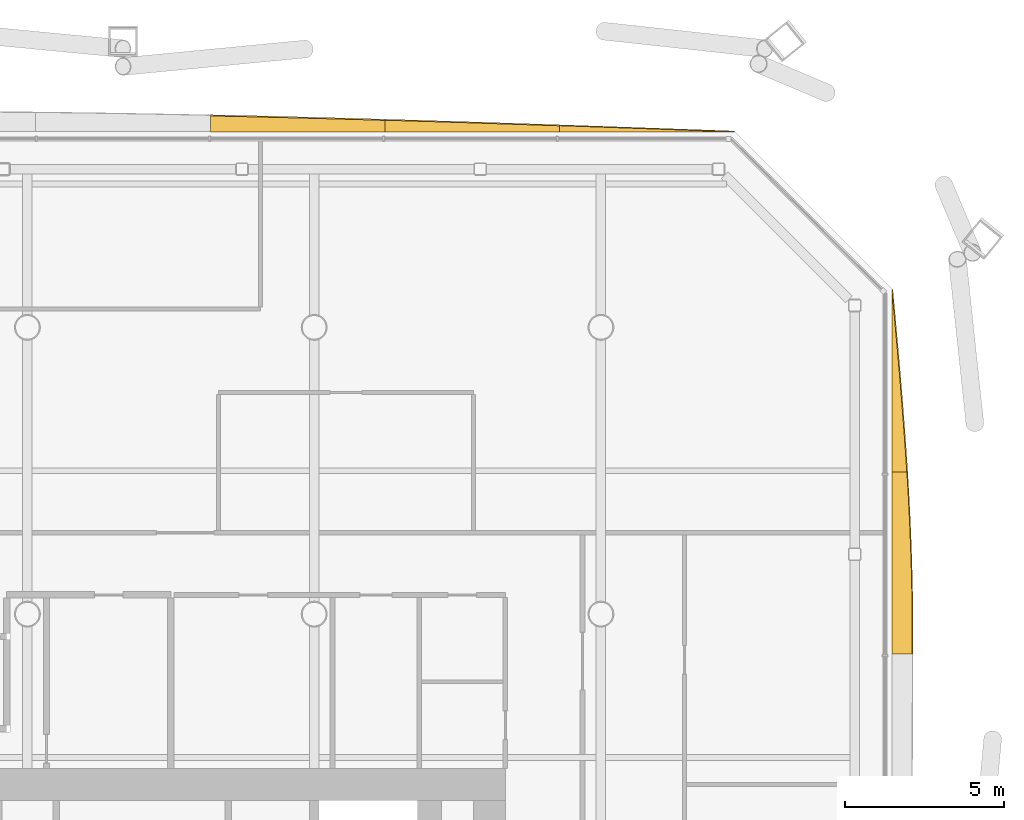
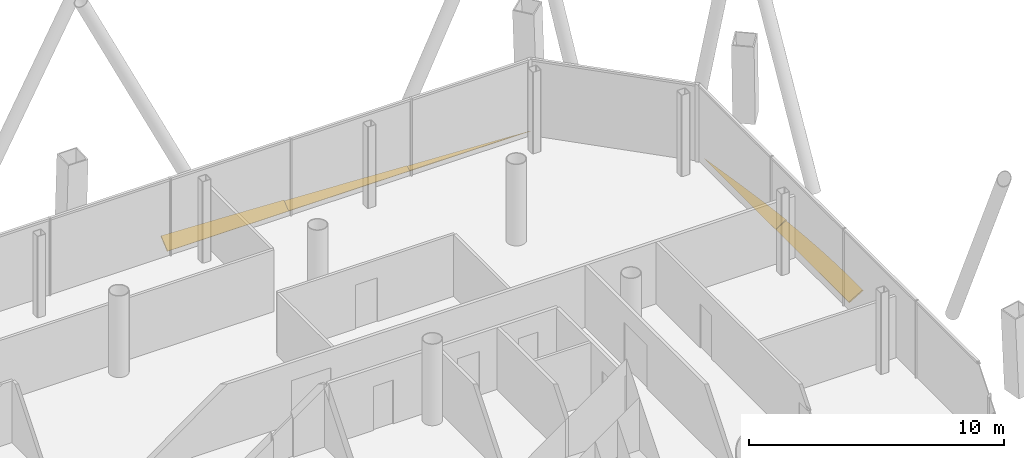
# One storey, part 22 of 22: 5 shading devices.
"""IFC4 building model written with IfcOpenShell, lengths in metres."""

from ifc_helpers import new_model, si_unit, direction, frame, origin, place, context, subcontext, project, spatial, polyline, outline, extrude, material, layer, layer_set, type_object, element, save


model = new_model("IFC4")

# Units and contexts
model_context = context("Model", 3, precision=1e-05, world=origin(), true_north=direction((0.0, 1.0)))
body_context = subcontext(model_context, "Body", "Model", "MODEL_VIEW")
ifc_project = project(units=[si_unit("LENGTHUNIT", "METRE"), si_unit("AREAUNIT", "SQUARE_METRE"), si_unit("VOLUMEUNIT", "CUBIC_METRE"), si_unit("PLANEANGLEUNIT", "RADIAN"), si_unit("MASSUNIT", "GRAM", prefix="KILO")], contexts=[model_context])

# Site, building, storey
site_placement = place(None, origin())
site = spatial("IfcSite", under=ifc_project, at=site_placement, CompositionType="ELEMENT")
building_placement = place(site_placement, origin())
building = spatial("IfcBuilding", under=site, at=building_placement, Name="Tskaro Facet Tower", CompositionType="ELEMENT")
storey_placement = place(building_placement, frame((0.0, 0.0, 97.199951171875)))
storey = spatial("IfcBuildingStorey", under=building, at=storey_placement, Name="L23", CompositionType="ELEMENT", Elevation=97.199951171875)

# Shading devices
ifc_material = material(Name="Bronze anodised aluminium 6063-T6", Category="aluminium")
ifc_layer = layer(ifc_material, 0.06005859375, Name="Bronze anodised aluminium 6063-T6")
ifc_layer_set = layer_set([ifc_layer], Name="Bronze anodised aluminium 6063-T6")
shading_device_type = type_object("IfcShadingDeviceType", Name="Bronze sun blade (FN1)", PredefinedType="USERDEFINED", material=ifc_layer_set)
shading_device_1_placement = place(storey_placement, frame((27.135009765625, 7.74462890625, 0.052001953125), z_axis=(-0.500066704834, 3.04322e-06, 0.8659868883), x_axis=(1.521813e-06, 0.999999999995, -2.635388e-06)))
element("IfcShadingDevice", 1, at=shading_device_1_placement, inside=storey, type_object=shading_device_type, Name="Fin blade east 6", ObjectType="FIN", PredefinedType="USERDEFINED", context=body_context, shape_type="SweptSolid", body=[
    extrude(outline(polyline([(0.0, 0.0), (5.721191406223508, 0.0), (5.721191406181805, -0.5384786455309498), (5.006103515395698, -0.5867184799251759), (4.2910156251716, -0.6289313143640181), (3.575683594041768, -0.6641493719290066), (2.860595702984334, -0.6927061617981545), (2.145507812189903, -0.7136011564374232), (1.4304199220300142, -0.7270457784269653), (0.7153320311181878, -0.7327392692043365), (0.5493164064904928, -0.7329506917844888), (-1.2849986127363224e-10, -0.7327392692043365), (0.0, 0.0)])), origin(), (0.0, 0.0, -1.0), 0.06005859375),
])
shading_device_2_placement = place(storey_placement, frame((27.130615234375, 13.4658203125, 0.04931640625), z_axis=(-0.573299344223, 2.1003213e-05, 0.81934599619), x_axis=(1.2041128e-05, 0.999999999779, -1.7208899e-05)))
element("IfcShadingDevice", 2, at=shading_device_2_placement, inside=storey, type_object=shading_device_type, Name="Fin blade east 7", ObjectType="FIN", PredefinedType="USERDEFINED", context=body_context, shape_type="SweptSolid", body=[
    extrude(outline(polyline([(0.0, 0.0), (5.721191404988091, 9.692075237283825e-21), (5.006103516707914, -0.07978313096207552), (4.291015625071606, -0.15848618802908726), (3.5756835936556097, -0.23596920554079368), (2.860595702877013, -0.31047210699435757), (2.1455078121108695, -0.3819948923897788), (1.4304199222024379, -0.44931752217175225), (0.7150878866473152, -0.5120399250529875), (-2.378498240777483e-09, -0.5692021671052279), (0.0, 0.0)])), origin(), (0.0, 0.0, -1.0), 0.06005859375),
])
shading_device_3_placement = place(storey_placement, frame((22.18701171875, 24.135009765625, 0.052001953125), z_axis=(-7.45925e-06, -0.500162807636, 0.865931386313), x_axis=(-0.999999999972, 3.73084e-06, -6.459199e-06)))
element("IfcShadingDevice", 3, at=shading_device_3_placement, inside=storey, type_object=shading_device_type, Name="Fin blade north 1", ObjectType="FIN", PredefinedType="USERDEFINED", context=body_context, shape_type="SweptSolid", body=[
    extrude(outline(polyline([(0.0, 0.0), (5.481933593597492, 0.0), (5.481933593901481, -0.22411869649641944), (4.796875000127499, -0.19677385721343668), (4.111572265728522, -0.1694290179304539), (3.4262695310848, -0.14153925052727478), (2.7409667971071814, -0.11331596403376684), (2.0556640615526094, -0.08521478760072018), (1.3706054681999835, -0.056991501107212246), (0.6853027348884683, -0.028434695523375478), (0.0, 0.0)])), origin(), (0.0, 0.0, -1.0), 0.06005859375),
])
shading_device_4_placement = place(storey_placement, frame((16.705078125, 24.130615234375, 0.04931640625), z_axis=(1.975017e-05, -0.573282209762, 0.819357984998), x_axis=(-0.999999999805, -1.1322421e-05, 1.618246e-05)))
element("IfcShadingDevice", 4, at=shading_device_4_placement, inside=storey, type_object=shading_device_type, Name="Fin blade north 2", ObjectType="FIN", PredefinedType="USERDEFINED", context=body_context, shape_type="SweptSolid", body=[
    extrude(outline(polyline([(0.0, 0.0), (5.482177733305786, -9.287170327439118e-21), (5.4821777360551796, -0.45121756152233217), (4.796874998150713, -0.42635663301875065), (4.111572268539034, -0.40089558880338344), (3.426269529839232, -0.37481462158636114), (2.740966796667956, -0.34833357722814834), (2.055908201748566, -0.32117253277470514), (1.370605467781954, -0.2934714497030516), (0.6853027326288091, -0.26543036658378283), (-9.466055229448389e-10, -0.23684924484630368), (0.0, 0.0)])), origin(), (0.0, 0.0, -1.0), 0.06005859375),
])
shading_device_5_placement = place(storey_placement, frame((11.222900390625, 24.12646484375, 0.0458984375), z_axis=(3.81433e-06, -0.642934793492, 0.765920917133), x_axis=(-0.999999999993, -2.452366e-06, 2.921475e-06)))
element("IfcShadingDevice", 5, at=shading_device_5_placement, inside=storey, type_object=shading_device_type, Name="Fin blade north 3", ObjectType="FIN", PredefinedType="USERDEFINED", context=body_context, shape_type="SweptSolid", body=[
    extrude(outline(polyline([(0.0, 0.0), (5.481933593710122, -2.3216891842832104e-21), (5.481933593907095, -0.665602433590422), (4.796630859568807, -0.6458466459623803), (4.111328124886933, -0.6250589815931501), (3.426269530600999, -0.603583399396461), (2.7409667966584537, -0.5810459145494912), (2.055664062486852, -0.5578205118750623), (1.3703613285703846, -0.5333762400480343), (0.6850585938261385, -0.5084310428049581), (7.655511021559131e-11, -0.482610935323012), (0.0, 0.0)])), origin(), (0.0, 0.0, -1.0), 0.06005859375),
])

save(model, "model.ifc")
